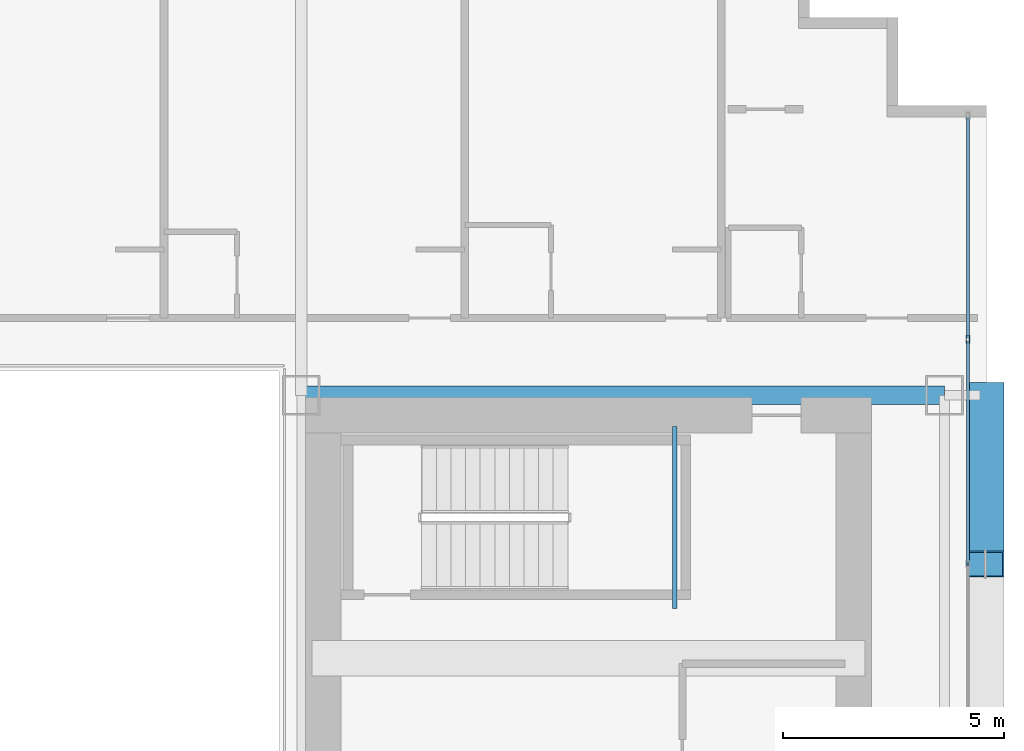
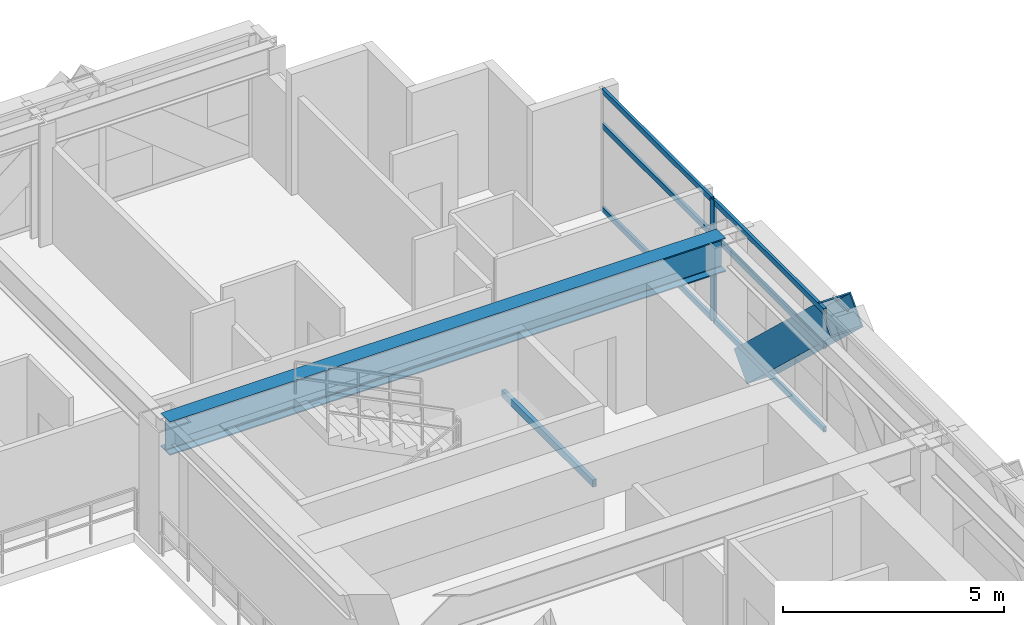
# One storey, part 20 of 35: 8 members, 2 beams, 1 element without a shape of its own.
"""IFC4 building model written with IfcOpenShell, lengths in metres."""

from ifc_helpers import new_model, si_unit, direction, frame, origin, origin_2d, place, context, subcontext, project, spatial, hollow_rectangle, i_section, extrude, source, transform, mapped, material, layer, layer_set, material_profile, profile_set, type_object, element, aggregate, save


model = new_model("IFC4")

# Units and contexts
model_context = context("Model", 3, precision=1e-05, world=origin(), true_north=direction((0.0, 1.0)))
body_context = subcontext(model_context, "Body", "Model", "MODEL_VIEW")
ifc_project = project(units=[si_unit("LENGTHUNIT", "METRE"), si_unit("AREAUNIT", "SQUARE_METRE"), si_unit("VOLUMEUNIT", "CUBIC_METRE"), si_unit("PLANEANGLEUNIT", "RADIAN"), si_unit("MASSUNIT", "GRAM", prefix="KILO")], contexts=[model_context])

# Site, building, storey
site_placement = place(None, origin())
site = spatial("IfcSite", under=ifc_project, at=site_placement, CompositionType="ELEMENT")
building_placement = place(site_placement, origin())
building = spatial("IfcBuilding", under=site, at=building_placement, Name="Ocotamira Hotel", CompositionType="ELEMENT")
storey_placement = place(building_placement, frame((0.0, 0.0, 56.39990234375)))
storey = spatial("IfcBuildingStorey", under=building, at=storey_placement, Name="L13", CompositionType="ELEMENT", Elevation=56.39990234375)

# Beams
ifc_material_1 = material(Name="Steel ASTM A500 Grade C", Category="steel")
ifc_material_profile_1 = material_profile(ifc_material_1, hollow_rectangle(XDim=0.10009765625, YDim=0.199951171875, WallThickness=0.008056640625, at=origin_2d()), Name="HSS200X100X8")
ifc_profile_set_1 = profile_set([ifc_material_profile_1], Name="Steel ASTM A500 Grade C")
beam_type_1 = type_object("IfcBeamType", Name="BM-STLDG-HSS200", PredefinedType="BEAM", material=ifc_profile_set_1)
shared_shape_1 = source(origin(), body_context, "Body", "SweptSolid", [
    extrude(hollow_rectangle(XDim=0.10009765625, YDim=0.199951171875, WallThickness=0.008056640625, at=origin_2d()), origin(), (0.0, 0.0, 1.0), 4.1201171875),
])
beam_1_placement = place(storey_placement, frame((48.949951171875, 32.6298828125, 1.5), z_axis=(0.0, 1.0, 0.0), x_axis=(-1.0, 0.0, 0.0)))
element("IfcBeam", 1, at=beam_1_placement, inside=storey, type_object=beam_type_1, Name="L13 Stair ST-4 Landing Bearer 1", PredefinedType="BEAM", context=body_context, shape_type="MappedRepresentation", body=[
    mapped(shared_shape_1, transform((0.0, 0.0, 0.0), scale=1.0)),
])
ifc_material_2 = material(Name="Steel ASTM A992 Grade 50", Category="steel")
ifc_material_profile_2 = material_profile(ifc_material_2, i_section(OverallWidth=0.41796875, OverallDepth=0.927001953125, WebThickness=0.019287109375, FlangeThickness=0.031982421875, FilletRadius=0.02392578125, at=origin_2d()), Name="W36X231")
ifc_profile_set_2 = profile_set([ifc_material_profile_2], Name="Steel ASTM A992 Grade 50")
beam_type_2 = type_object("IfcBeamType", Name="BM-GIRD-W36X231", PredefinedType="BEAM", material=ifc_profile_set_2)
shared_shape_2 = source(origin(), body_context, "Body", "SweptSolid", [
    extrude(i_section(OverallWidth=0.41796875, OverallDepth=0.927001953125, WebThickness=0.019287109375, FlangeThickness=0.031982421875, FilletRadius=0.02392578125, at=origin_2d()), origin(), (0.0, 0.0, 1.0), 14.550048828125),
])
beam_2_placement = place(storey_placement, frame((40.5, 37.449951171875, 2.88671875), z_axis=(1.0, 0.0, 0.0), x_axis=(0.0, 1.0, 0.0)))
element("IfcBeam", 2, at=beam_2_placement, inside=storey, type_object=beam_type_2, Name="L13 Girder Y37.45 X40.5-55.05", PredefinedType="BEAM", context=body_context, shape_type="MappedRepresentation", body=[
    mapped(shared_shape_2, transform((0.0, 0.0, 0.0), scale=1.0)),
])

# Member
ifc_material_3 = material(Name="Pale-metal coated steel ASTM A913 Grade 65", Category="steel")
ifc_material_profile_3 = material_profile(ifc_material_3, hollow_rectangle(XDim=0.85009765625, YDim=0.85009765625, WallThickness=0.035888671875, at=origin_2d()), Name="BOX850X850X36")
ifc_profile_set_3 = profile_set([ifc_material_profile_3], Name="Pale-metal coated steel ASTM A913 Grade 65")
member_type_1 = type_object("IfcMemberType", Name="MEM-EXO-BOX850", PredefinedType="BRACE", material=ifc_profile_set_3)
shared_shape_3 = source(origin(), body_context, "Body", "SweptSolid", [
    extrude(hollow_rectangle(XDim=0.85009765625, YDim=0.85009765625, WallThickness=0.035888671875, at=origin_2d()), origin(), (0.0, 0.0, 1.0), 5.24658203125),
])
member_1_placement = place(storey_placement, frame((55.969970703125, 37.449951171875, -0.5), z_axis=(0.0, -0.727442733726, 0.686168397078), x_axis=(1.0, 0.0, 0.0)))
element("IfcMember", 3, at=member_1_placement, inside=storey, type_object=member_type_1, Name="L13 Exoskeleton Diagrid E2.2", PredefinedType="BRACE", context=body_context, shape_type="MappedRepresentation", body=[
    mapped(shared_shape_3, transform((0.0, 0.0, 0.0), scale=1.0)),
])

# Curtain wall, members
ifc_material_4 = material(Name="Anodised pale-metal aluminium and solar glass", Category="aluminium")
ifc_layer = layer(ifc_material_4, 0.179931640625)
ifc_layer_set = layer_set([ifc_layer], Name="Anodised pale-metal aluminium and solar glass")
curtain_wall_type = type_object("IfcCurtainWallType", Name="CW-SYS2-Z1", PredefinedType="NOTDEFINED", material=ifc_layer_set)
curtain_wall_placement = place(storey_placement, origin())
curtain_wall = element("IfcCurtainWall", 4, at=curtain_wall_placement, inside=storey, type_object=curtain_wall_type, Name="L13 Curtain Wall CW-2 CW-L13-E", PredefinedType="NOTDEFINED")
ifc_material_5 = material(Name="Anodised pale-metal aluminium 6063-T6", Category="aluminium")
ifc_material_profile_4 = material_profile(ifc_material_5, hollow_rectangle(XDim=0.074951171875, YDim=0.14990234375, WallThickness=0.006103515625, at=origin_2d()), Name="HSS150X75X6")
ifc_profile_set_4 = profile_set([ifc_material_profile_4], Name="Anodised pale-metal aluminium 6063-T6")
member_type_2 = type_object("IfcMemberType", Name="CWT-150X75", PredefinedType="USERDEFINED", material=ifc_profile_set_4)
shared_shape_4 = source(origin(), body_context, "Body", "SweptSolid", [
    extrude(hollow_rectangle(XDim=0.074951171875, YDim=0.14990234375, WallThickness=0.006103515625, at=origin_2d()), origin(), (0.0, 0.0, 1.0), 4.965576171875),
])
member_2_placement = place(storey_placement, frame((55.580078125, 38.75439453125, 0.03759765625), z_axis=(0.0, 1.0, 0.0), x_axis=(-1.0, 0.0, 0.0)))
member_2 = element("IfcMember", 5, at=member_2_placement, type_object=member_type_2, Name="CW-2 transom 7.1", ObjectType="TRANSOM", PredefinedType="USERDEFINED", context=body_context, shape_type="MappedRepresentation", body=[
    mapped(shared_shape_4, transform((0.0, 0.0, 0.0), scale=1.0)),
])
member_3_placement = place(storey_placement, frame((55.580078125, 38.75439453125, 2.35009765625), z_axis=(0.0, 1.0, 0.0), x_axis=(-1.0, 0.0, 0.0)))
member_3 = element("IfcMember", 6, at=member_3_placement, type_object=member_type_2, Name="CW-2 transom 7.2", ObjectType="TRANSOM", PredefinedType="USERDEFINED", context=body_context, shape_type="MappedRepresentation", body=[
    mapped(shared_shape_4, transform((0.0, 0.0, 0.0), scale=1.0)),
])
member_4_placement = place(storey_placement, frame((55.580078125, 38.75439453125, 3.3125), z_axis=(0.0, 1.0, 0.0), x_axis=(-1.0, 0.0, 0.0)))
member_4 = element("IfcMember", 7, at=member_4_placement, type_object=member_type_2, Name="CW-2 transom 7.3", ObjectType="TRANSOM", PredefinedType="USERDEFINED", context=body_context, shape_type="MappedRepresentation", body=[
    mapped(shared_shape_4, transform((0.0, 0.0, 0.0), scale=1.0)),
])
shared_shape_5 = source(origin(), body_context, "Body", "SweptSolid", [
    extrude(hollow_rectangle(XDim=0.074951171875, YDim=0.14990234375, WallThickness=0.006103515625, at=origin_2d()), origin(), (0.0, 0.0, 1.0), 5.005859375),
])
member_5_placement = place(storey_placement, frame((55.580078125, 33.66845703125, 0.03759765625), z_axis=(0.0, 1.0, 0.0), x_axis=(-1.0, 0.0, 0.0)))
member_5 = element("IfcMember", 8, at=member_5_placement, type_object=member_type_2, Name="CW-2 transom 6.1", ObjectType="TRANSOM", PredefinedType="USERDEFINED", context=body_context, shape_type="MappedRepresentation", body=[
    mapped(shared_shape_5, transform((0.0, 0.0, 0.0), scale=1.0)),
])
member_6_placement = place(storey_placement, frame((55.580078125, 33.66845703125, 2.35009765625), z_axis=(0.0, 1.0, 0.0), x_axis=(-1.0, 0.0, 0.0)))
member_6 = element("IfcMember", 9, at=member_6_placement, type_object=member_type_2, Name="CW-2 transom 6.2", ObjectType="TRANSOM", PredefinedType="USERDEFINED", context=body_context, shape_type="MappedRepresentation", body=[
    mapped(shared_shape_5, transform((0.0, 0.0, 0.0), scale=1.0)),
])
member_7_placement = place(storey_placement, frame((55.580078125, 33.66845703125, 3.3125), z_axis=(0.0, 1.0, 0.0), x_axis=(-1.0, 0.0, 0.0)))
member_7 = element("IfcMember", 10, at=member_7_placement, type_object=member_type_2, Name="CW-2 transom 6.3", ObjectType="TRANSOM", PredefinedType="USERDEFINED", context=body_context, shape_type="MappedRepresentation", body=[
    mapped(shared_shape_5, transform((0.0, 0.0, 0.0), scale=1.0)),
])
ifc_material_profile_5 = material_profile(ifc_material_5, hollow_rectangle(XDim=0.080078125, YDim=0.179931640625, WallThickness=0.006103515625, at=origin_2d()), Name="HSS180X80X6")
ifc_profile_set_5 = profile_set([ifc_material_profile_5], Name="Anodised pale-metal aluminium 6063-T6")
member_type_3 = type_object("IfcMemberType", Name="CWM-180X75", PredefinedType="MULLION", material=ifc_profile_set_5)
shared_shape_6 = source(origin(), body_context, "Body", "SweptSolid", [
    extrude(hollow_rectangle(XDim=0.080078125, YDim=0.179931640625, WallThickness=0.006103515625, at=origin_2d()), origin(), (0.0, 0.0, 1.0), 3.35009765625),
])
member_8_placement = place(storey_placement, frame((55.580078125, 38.71435546875, 0.0), z_axis=(0.0, 0.0, 1.0), x_axis=(-1.0, 0.0, 0.0)))
member_8 = element("IfcMember", 11, at=member_8_placement, type_object=member_type_3, Name="CW-2 mullion 7", PredefinedType="MULLION", context=body_context, shape_type="MappedRepresentation", body=[
    mapped(shared_shape_6, transform((0.0, 0.0, 0.0), scale=1.0)),
])
aggregate(curtain_wall, [member_8, member_5, member_6, member_7, member_2, member_3, member_4])

save(model, "model.ifc")
